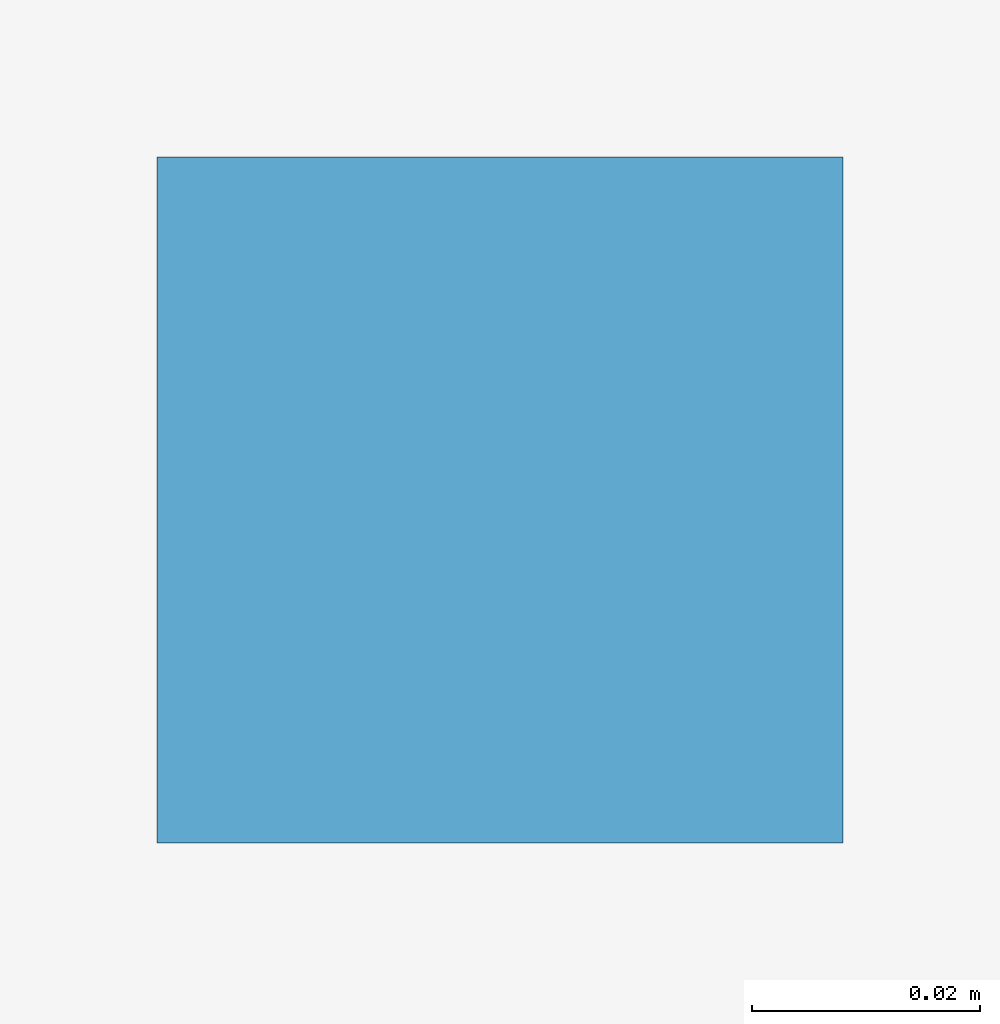
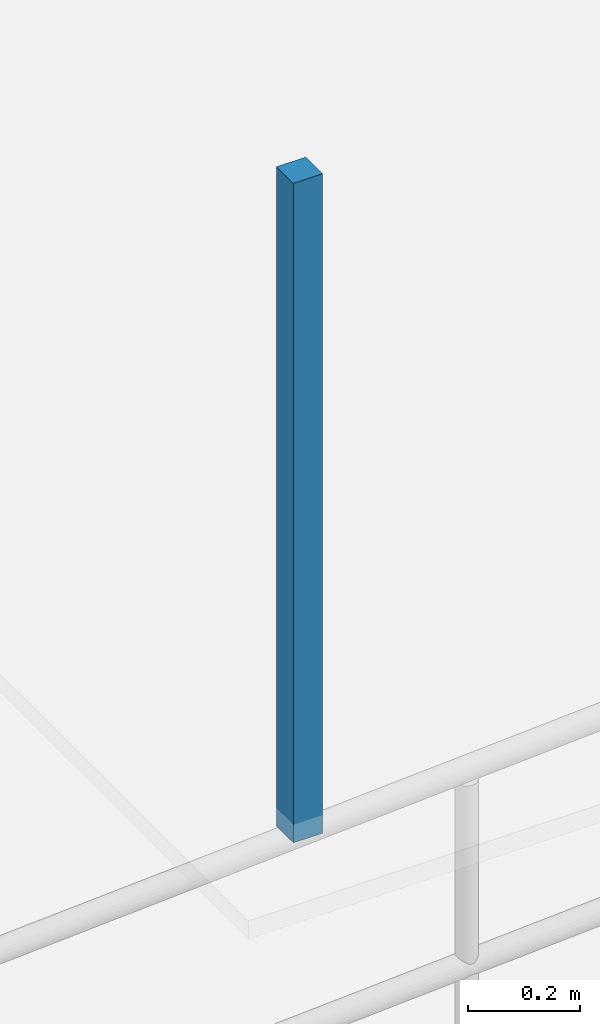
# One storey, part 95 of 122: 1 discrete accessory.
"""IFC4 building model written with IfcOpenShell, lengths in metres."""

from ifc_helpers import new_model, si_unit, direction, frame, origin, origin_2d, place, context, subcontext, project, spatial, rectangle, extrude, material, type_object, element, save


model = new_model("IFC4")

# Units and contexts
model_context = context("Model", 3, precision=1e-05, world=origin(), true_north=direction((0.0, 1.0)))
body_context = subcontext(model_context, "Body", "Model", "MODEL_VIEW")
ifc_project = project(units=[si_unit("LENGTHUNIT", "METRE"), si_unit("AREAUNIT", "SQUARE_METRE"), si_unit("VOLUMEUNIT", "CUBIC_METRE"), si_unit("PLANEANGLEUNIT", "RADIAN"), si_unit("MASSUNIT", "GRAM", prefix="KILO")], contexts=[model_context])

# Site, building, storey
site_placement = place(None, origin())
site = spatial("IfcSite", under=ifc_project, at=site_placement, CompositionType="ELEMENT")
building_placement = place(site_placement, origin())
building = spatial("IfcBuilding", under=site, at=building_placement, Name="Sundkrona Museum", CompositionType="ELEMENT")
storey_placement = place(building_placement, frame((0.0, 0.0, 5.39990234375)))
storey = spatial("IfcBuildingStorey", under=building, at=storey_placement, Name="L01", CompositionType="ELEMENT", Elevation=5.39990234375)

# Discrete accessory
ifc_material = material(Name="Stainless Steel EN 1.4404 Cleat", Category="steel")
discrete_accessory_type = type_object("IfcDiscreteAccessoryType", Name="BRK-FIN-01", PredefinedType="BRACKET", material=ifc_material)
discrete_accessory_placement = place(storey_placement, frame((57.64990234375, 89.25, 2.550048828125), z_axis=(0.0, 0.0, 1.0), x_axis=(1.0, 0.0, 0.0)))
element("IfcDiscreteAccessory", 1, at=discrete_accessory_placement, inside=storey, type_object=discrete_accessory_type, Name="L01 Graphic Arts Cabinet Ceiling Hanger 1", PredefinedType="BRACKET", context=body_context, shape_type="SweptSolid", body=[
    extrude(rectangle(XDim=0.06005859375, YDim=0.06005859375, at=origin_2d()), origin(), (0.0, 0.0, 1.0), 1.43994140625),
])

save(model, "model.ifc")
